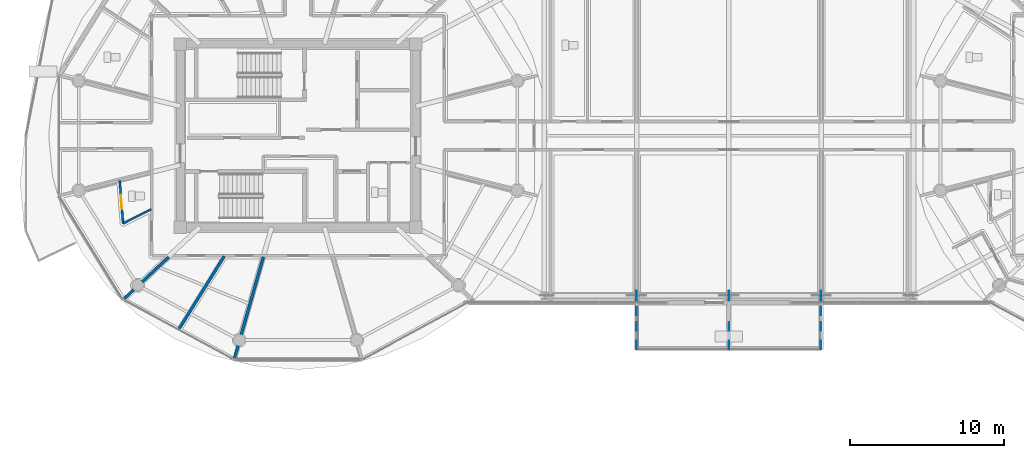
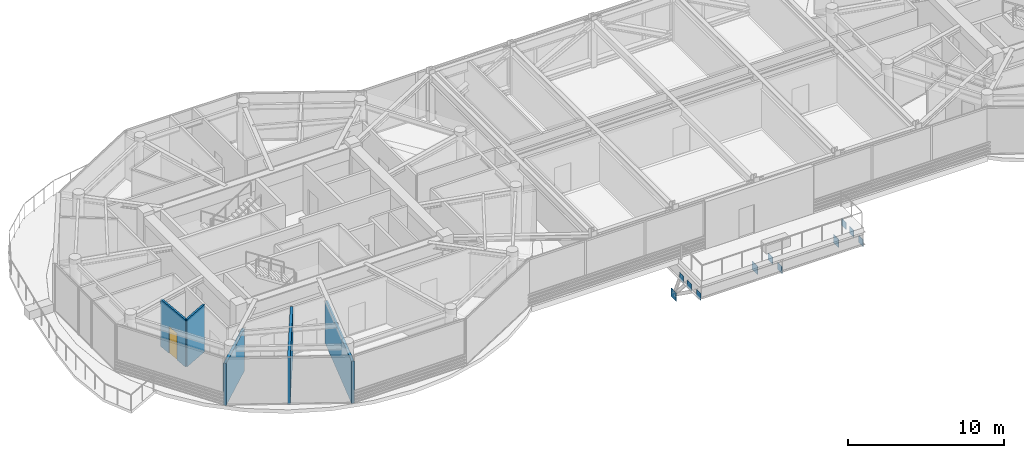
# One storey, part 13 of 31: 11 plates, 5 walls, 1 door, 1 opening.
"""IFC4 building model written with IfcOpenShell, lengths in metres."""

import ifcopenshell
import ifcopenshell.guid

model = None  # the IFC model being written
_history = None  # IfcOwnerHistory: only IFC2X3 demands one
_inside = {}  # id of a spatial element -> (the spatial element, [elements in it])
_under = {}  # id of a project, library or spatial element -> (it, [spatial elements below it])
_declared = {}  # id of a project -> (the project, [libraries it declares])
_typed = {}  # id of a type object -> (the type object, [elements of that type])
_made_of = {}  # id of a material, layer set ... -> (it, [elements and type objects made of it])


def new_model(schema):
    """Start an empty IFC model of exactly this schema.

    Asked for "IFC4X3", IfcOpenShell would pick the latest addendum, in which some entities
    have other attributes; the version numbers below select the first issue.
    IFC2X3 requires an IfcOwnerHistory on every rooted entity: one is made here for all.
    """
    global model, _history
    if schema == "IFC4X3":
        model = ifcopenshell.file(schema_version=(4, 3, 0, 0))
    else:
        model = ifcopenshell.file(schema=schema)
    _inside.clear()
    _under.clear()
    _declared.clear()
    _typed.clear()
    _made_of.clear()
    _history = None
    if model.schema == "IFC2X3":
        org = make("IfcOrganization", Name="unknown")
        user = make(
            "IfcPersonAndOrganization",
            ThePerson=make("IfcPerson", FamilyName="unknown"),
            TheOrganization=org,
        )
        app = make(
            "IfcApplication",
            ApplicationDeveloper=org,
            Version="unknown",
            ApplicationFullName="unknown",
            ApplicationIdentifier="unknown",
        )
        _history = make(
            "IfcOwnerHistory",
            OwningUser=user,
            OwningApplication=app,
            ChangeAction="ADDED",
            CreationDate=0,
        )
    return model


def make(cls, **values):
    """One entity of the class cls with the attributes given. An attribute that is None is left unset."""
    return model.create_entity(
        cls, **{name: value for name, value in values.items() if value is not None}
    )


def rooted(cls, **values):
    """An entity with a GlobalId (a new one), such as an element, a storey or a relation."""
    return make(cls, GlobalId=ifcopenshell.guid.new(), OwnerHistory=_history, **values)


def si_unit(unit_type, name, prefix=None):
    """IfcSIUnit, for example si_unit("LENGTHUNIT", "METRE", prefix="MILLI")."""
    return make("IfcSIUnit", UnitType=unit_type, Prefix=prefix, Name=name)


def assignment(units):
    """IfcUnitAssignment: the units of a project."""
    return None if units is None else make("IfcUnitAssignment", Units=units)


def point(xyz):
    """IfcCartesianPoint."""
    return None if xyz is None else make("IfcCartesianPoint", Coordinates=xyz)


def direction(xyz):
    """IfcDirection."""
    return None if xyz is None else make("IfcDirection", DirectionRatios=xyz)


def frame(location, z_axis=None, x_axis=None):
    """IfcAxis2Placement3D, a coordinate frame: its origin and axes. An axis left out is left unset."""
    return make(
        "IfcAxis2Placement3D",
        Location=point(location),
        Axis=direction(z_axis),
        RefDirection=direction(x_axis),
    )


def frame_2d(location, x_axis=None):
    """IfcAxis2Placement2D, a coordinate frame in the plane: its origin and x axis."""
    return make(
        "IfcAxis2Placement2D", Location=point(location), RefDirection=direction(x_axis)
    )


def origin():
    """The frame at (0, 0, 0) with its axes left unset."""
    return frame((0.0, 0.0, 0.0))


def origin_2d():
    """The frame at (0, 0) in the plane with its x axis left unset."""
    return frame_2d((0.0, 0.0))


def place(relative_to, where):
    """IfcLocalPlacement: puts the frame where relative to a parent placement (None: the world)."""
    return make(
        "IfcLocalPlacement", PlacementRelTo=relative_to, RelativePlacement=where
    )


def context(
    kind, dimensions, precision=None, world=None, true_north=None, identifier=None
):
    """IfcGeometricRepresentationContext, for example the 3D "Model" context."""
    return make(
        "IfcGeometricRepresentationContext",
        ContextIdentifier=identifier,
        ContextType=kind,
        CoordinateSpaceDimension=dimensions,
        Precision=precision,
        WorldCoordinateSystem=world,
        TrueNorth=true_north,
    )


def subcontext(parent, identifier, kind, view, scale=None):
    """IfcGeometricRepresentationSubContext, for example "Body" below "Model"."""
    return make(
        "IfcGeometricRepresentationSubContext",
        ContextIdentifier=identifier,
        ContextType=kind,
        ParentContext=parent,
        TargetScale=scale,
        TargetView=view,
    )


def project(units=None, contexts=None):
    """IfcProject with its units and contexts."""
    return rooted(
        "IfcProject",
        Name="project",
        RepresentationContexts=contexts,
        UnitsInContext=assignment(units),
    )


def spatial(cls, under=None, at=None, **own):
    """A site, building, storey or space (cls), placed at a placement, below another one or the project."""
    s = rooted(cls, ObjectPlacement=at, **own)
    if under is not None:
        _under.setdefault(under.id(), (under, []))[1].append(s)
    return s


def profile(cls, at=None, kind="AREA", **sizes):
    """A parametric profile (cls). Its sizes go by their IFC names, for example OverallWidth=200.0."""
    return make(cls, ProfileType=kind, Position=at, **sizes)


def rectangle(**sizes):
    """IfcRectangleProfileDef."""
    return profile("IfcRectangleProfileDef", **sizes)


def extrude(swept, where, along, depth):
    """IfcExtrudedAreaSolid: the profile swept, set in the frame where, extruded along a direction by depth."""
    return make(
        "IfcExtrudedAreaSolid",
        SweptArea=swept,
        Position=where,
        ExtrudedDirection=direction(along),
        Depth=depth,
    )


def shape(context_of_items, identifier, shape_type, items):
    """IfcShapeRepresentation: the items that make up one representation, for example the "Body"."""
    return make(
        "IfcShapeRepresentation",
        ContextOfItems=context_of_items,
        RepresentationIdentifier=identifier,
        RepresentationType=shape_type,
        Items=items,
    )


def source(mapping_origin, context_of_items, identifier, shape_type, items):
    """IfcRepresentationMap: a shape defined once, which mapped items show again and again."""
    return make(
        "IfcRepresentationMap",
        MappingOrigin=mapping_origin,
        MappedRepresentation=shape(context_of_items, identifier, shape_type, items),
    )


def transform(
    local_origin,
    x_axis=None,
    y_axis=None,
    z_axis=None,
    scale=None,
    scale2=None,
    scale3=None,
    uniform=True,
):
    """IfcCartesianTransformationOperator3D, or its non-uniform kind. x_axis, y_axis, z_axis: its Axis1, 2, 3."""
    if uniform:
        return make(
            "IfcCartesianTransformationOperator3D",
            Axis1=direction(x_axis),
            Axis2=direction(y_axis),
            LocalOrigin=point(local_origin),
            Scale=scale,
            Axis3=direction(z_axis),
        )
    return make(
        "IfcCartesianTransformationOperator3DnonUniform",
        Axis1=direction(x_axis),
        Axis2=direction(y_axis),
        LocalOrigin=point(local_origin),
        Scale=scale,
        Axis3=direction(z_axis),
        Scale2=scale2,
        Scale3=scale3,
    )


def mapped(mapping_source, mapping_target):
    """IfcMappedItem: shows the shape of a source again, moved by a transform."""
    return make(
        "IfcMappedItem", MappingSource=mapping_source, MappingTarget=mapping_target
    )


def material(Name=None, Category=None):
    """IfcMaterial."""
    return make("IfcMaterial", Name=Name, Category=Category)


def layer(
    of_material, thickness, ventilated=None, Name=None, Category=None, Priority=None
):
    """IfcMaterialLayer: one layer of a wall or slab, of a material (None: an air gap)."""
    return make(
        "IfcMaterialLayer",
        Material=of_material,
        LayerThickness=thickness,
        IsVentilated=ventilated,
        Name=Name,
        Category=Category,
        Priority=Priority,
    )


def layer_set(layers, Name=None):
    """IfcMaterialLayerSet."""
    return make("IfcMaterialLayerSet", MaterialLayers=layers, LayerSetName=Name)


def made_of(thing, what):
    """Note that an element or type object is made of a material, layer set ...; save() writes the relation."""
    if what is not None:
        _made_of.setdefault(what.id(), (what, []))[1].append(thing)
    return thing


def type_object(cls, material=None, **own):
    """A type object (cls), such as IfcWallType, which elements share."""
    return made_of(rooted(cls, **own), material)


def type_shapes(of_type, sources):
    """Give a type object the sources (RepresentationMaps) that its elements show as mapped items."""
    of_type.RepresentationMaps = sources


def element(
    cls,
    number,
    at=None,
    inside=None,
    cuts=None,
    type_object=None,
    material=None,
    context=None,
    identifier="Body",
    shape_type=None,
    held_by="IfcProductDefinitionShape",
    body=None,
    shapes=None,
    **own,
):
    """One element of the class cls, such as IfcWall. Its Tag is "e" and its number.

    at: its placement. inside: the storey or other place that contains it. cuts: it is an
    opening in that element (IfcRelVoidsElement). A single representation is given by context,
    identifier, shape_type and body (its items); several are given by shapes. held_by: the class
    of the entity that holds the representations. save() writes the other relations.
    """
    e = rooted(cls, Tag="e%d" % number, ObjectPlacement=at, **own)
    if body is not None:
        shapes = [shape(context, identifier, shape_type, body)]
    if shapes is not None:
        e.Representation = make(held_by, Representations=shapes)
    if inside is not None:
        _inside.setdefault(inside.id(), (inside, []))[1].append(e)
    if cuts is not None:
        rooted(
            "IfcRelVoidsElement", RelatingBuildingElement=cuts, RelatedOpeningElement=e
        )
    if type_object is not None:
        _typed.setdefault(type_object.id(), (type_object, []))[1].append(e)
    return made_of(e, material)


def fill(opening, filler):
    """IfcRelFillsElement: the door or window that sits in an opening."""
    return rooted(
        "IfcRelFillsElement",
        RelatingOpeningElement=opening,
        RelatedBuildingElement=filler,
    )


def aggregate(whole, parts):
    """IfcRelAggregates: a whole, such as a stair, and the parts it consists of."""
    return rooted("IfcRelAggregates", RelatingObject=whole, RelatedObjects=parts)


def save(model, path):
    """Write the relations noted so far, then the file.

    IfcRelAggregates (storeys below a building ...), IfcRelContainedInSpatialStructure (elements
    in a storey), IfcRelDefinesByType, IfcRelAssociatesMaterial and IfcRelDeclares: one each for
    every whole, place, type object, material and project.
    """
    for whole, parts in _under.values():
        aggregate(whole, parts)
    for where, things in _inside.values():
        rooted(
            "IfcRelContainedInSpatialStructure",
            RelatedElements=things,
            RelatingStructure=where,
        )
    for kind, things in _typed.values():
        rooted("IfcRelDefinesByType", RelatedObjects=things, RelatingType=kind)
    for what, things in _made_of.values():
        rooted("IfcRelAssociatesMaterial", RelatedObjects=things, RelatingMaterial=what)
    for by, libraries in _declared.values():
        rooted("IfcRelDeclares", RelatingContext=by, RelatedDefinitions=libraries)
    model.write(path)


model = new_model("IFC4")

# Units and contexts
model_context = context("Model", 3, precision=1e-05, world=origin(), true_north=direction((0.0, 1.0)))
body_context = subcontext(model_context, "Body", "Model", "MODEL_VIEW")
ifc_project = project(units=[si_unit("LENGTHUNIT", "METRE"), si_unit("AREAUNIT", "SQUARE_METRE"), si_unit("VOLUMEUNIT", "CUBIC_METRE"), si_unit("PLANEANGLEUNIT", "RADIAN"), si_unit("MASSUNIT", "GRAM", prefix="KILO")], contexts=[model_context])

# Site, building, storey
site_placement = place(None, origin())
site = spatial("IfcSite", under=ifc_project, at=site_placement, CompositionType="ELEMENT")
building_placement = place(site_placement, origin())
building = spatial("IfcBuilding", under=site, at=building_placement, Name="Norrkilde Senior Care Towers", CompositionType="ELEMENT")
storey_placement = place(building_placement, frame((0.0, 0.0, 199.800048828125)))
storey = spatial("IfcBuildingStorey", under=building, at=storey_placement, Name="L62", CompositionType="ELEMENT", Elevation=199.800048828125)

# Plates
ifc_material_1 = material(Name="Steel S355", Category="steel")
ifc_layer_1 = layer(ifc_material_1, 0.034912109375)
ifc_layer_set_1 = layer_set([ifc_layer_1], Name="Steel S355")
plate_type = type_object("IfcPlateType", Name="Truss Node Gusset Plate 35", PredefinedType="USERDEFINED", material=ifc_layer_set_1)
shared_shape_1 = source(origin(), body_context, "Body", "SweptSolid", [
    extrude(rectangle(XDim=0.034912109375, YDim=0.550048828125, at=origin_2d()), origin(), (0.0, 0.0, 1.0), 0.550048828125),
])
for number, where, z_axis, x_axis, name in (
    (1, (-6.0, -13.60009765625, -1.544921875), (0.0, 0.0, 1.0), (1.0, 0.0, 0.0), "L62 Sky Pool Strut 1A Upper Gusset Plate"),
    (2, (-6.0, -12.39990234375, -1.544921875), (0.0, 0.0, 1.0), (1.0, 0.0, 0.0), "L62 Sky Pool Strut 1B Upper Gusset Plate"),
    (3, (0.0, -13.60009765625, -1.544921875), (0.0, 0.0, 1.0), (1.0, 0.0, 0.0), "L62 Sky Pool Strut 2A Upper Gusset Plate"),
    (4, (0.0, -12.39990234375, -1.544921875), (0.0, 0.0, 1.0), (1.0, 0.0, 0.0), "L62 Sky Pool Strut 2B Upper Gusset Plate"),
    (5, (6.0, -13.60009765625, -1.544921875), (0.0, 0.0, 1.0), (1.0, 0.0, 0.0), "L62 Sky Pool Strut 3A Upper Gusset Plate"),
    (6, (6.0, -12.39990234375, -1.544921875), (0.0, 0.0, 1.0), (1.0, 0.0, 0.0), "L62 Sky Pool Strut 3B Upper Gusset Plate"),
    (7, (-6.0, -11.39990234375, -1.544921875), (0.0, 0.0, 1.0), (1.0, 0.0, 0.0), "L62 Sky Pool Mid Strut 1 Upper Gusset Plate"),
    (8, (6.0, -11.39990234375, -1.544921875), (0.0, 0.0, 1.0), (1.0, 0.0, 0.0), "L62 Sky Pool Mid Strut 2 Upper Gusset Plate"),
):
    element("IfcPlate", number, at=place(storey_placement, frame(where, z_axis=z_axis, x_axis=x_axis)), inside=storey, type_object=plate_type, Name=name, ObjectType="GUSSET_PLATE", PredefinedType="USERDEFINED", context=body_context, shape_type="MappedRepresentation", body=[
        mapped(shared_shape_1, transform((0.0, 0.0, 0.0), x_axis=(1.0, 0.0, 0.0), y_axis=(0.0, 1.0, 0.0), z_axis=(0.0, 0.0, 1.0), scale=1.0)),
    ])
shared_shape_2 = source(origin(), body_context, "Body", "SweptSolid", [
    extrude(rectangle(XDim=0.034912109375, YDim=0.64990234375, at=origin_2d()), origin(), (0.0, 0.0, 1.0), 0.64990234375),
])
type_shapes(plate_type, [shared_shape_1, shared_shape_2])
for number, where, z_axis, x_axis, name in (
    (9, (-6.0, -10.39990234375, -3.52490234375), (0.0, 0.0, 1.0), (1.0, 0.0, 0.0), "L62 Sky Pool Strut Fan 1 Lower Gusset Plate"),
    (10, (0.0, -10.39990234375, -3.52490234375), (0.0, 0.0, 1.0), (1.0, 0.0, 0.0), "L62 Sky Pool Strut Fan 2 Lower Gusset Plate"),
    (11, (6.0, -10.39990234375, -3.52490234375), (0.0, 0.0, 1.0), (1.0, 0.0, 0.0), "L62 Sky Pool Strut Fan 3 Lower Gusset Plate"),
):
    element("IfcPlate", number, at=place(storey_placement, frame(where, z_axis=z_axis, x_axis=x_axis)), inside=storey, type_object=plate_type, Name=name, ObjectType="GUSSET_PLATE", PredefinedType="USERDEFINED", context=body_context, shape_type="MappedRepresentation", body=[
        mapped(shared_shape_2, transform((0.0, 0.0, 0.0), x_axis=(1.0, 0.0, 0.0), y_axis=(0.0, 1.0, 0.0), z_axis=(0.0, 0.0, 1.0), scale=1.0)),
    ])

# Walls
ifc_material_2 = material(Name="Gypsum Acoustic Board")
ifc_layer_2 = layer(ifc_material_2, 0.18994140625)
ifc_layer_set_2 = layer_set([ifc_layer_2], Name="Gypsum Acoustic Board")
wall_type_1 = type_object("IfcWallType", Name="Unit Demising Acoustic Wall 190", PredefinedType="PARTITIONING", material=ifc_layer_set_2)
shared_shape_3 = source(origin(), body_context, "Body", "SweptSolid", [
    extrude(rectangle(XDim=4.089111328125, YDim=0.18994140625, at=frame_2d((2.04443359375, 0.0))), origin(), (0.0, 0.0, 1.0), 3.294921875),
])
wall_1_placement = place(storey_placement, frame((-36.40185546875, -7.8798828125, 0.0), z_axis=(0.0, 0.0, 1.0), x_axis=(-0.729401273609, -0.684086092577, 0.0)))
element("IfcWall", 12, at=wall_1_placement, inside=storey, type_object=wall_type_1, Name="WL-INT-L62-W-DEM-07-0", PredefinedType="PARTITIONING", context=body_context, shape_type="MappedRepresentation", body=[
    mapped(shared_shape_3, transform((0.0, 0.0, 0.0), x_axis=(1.0, 0.0, 0.0), y_axis=(0.0, 1.0, 0.0), z_axis=(0.0, 0.0, 1.0), scale=1.0)),
])
shared_shape_4 = source(origin(), body_context, "Body", "SweptSolid", [
    extrude(rectangle(XDim=5.65185546875, YDim=0.18994140625, at=frame_2d((2.825927734375, 0.0))), origin(), (0.0, 0.0, 1.0), 3.695068359375),
])
wall_2_placement = place(storey_placement, frame((-32.7939453125, -7.830078125, 0.0), z_axis=(0.0, 0.0, 1.0), x_axis=(-0.527566076956, -0.84951399897, 0.0)))
element("IfcWall", 13, at=wall_2_placement, inside=storey, type_object=wall_type_1, Name="WL-INT-L62-W-MID-07", PredefinedType="PARTITIONING", context=body_context, shape_type="MappedRepresentation", body=[
    mapped(shared_shape_4, transform((0.0, 0.0, 0.0), x_axis=(1.0, 0.0, 0.0), y_axis=(0.0, 1.0, 0.0), z_axis=(0.0, 0.0, 1.0), scale=1.0)),
])
ifc_layer_3 = layer(ifc_material_2, 0.139892578125)
ifc_layer_set_3 = layer_set([ifc_layer_3], Name="Gypsum Acoustic Board")
wall_type_2 = type_object("IfcWallType", Name="En-suite Wet Room Wall 140", PredefinedType="PARTITIONING", material=ifc_layer_set_3)
shared_shape_5 = source(origin(), body_context, "Body", "SweptSolid", [
    extrude(rectangle(XDim=2.059814453125, YDim=0.139892578125, at=frame_2d((1.02978515625, 0.0))), origin(), (0.0, 0.0, 1.0), 3.695068359375),
])
wall_3_placement = place(storey_placement, frame((-37.530029296875, -4.7783203125, 0.0), z_axis=(0.0, 0.0, 1.0), x_axis=(-0.893952568722, -0.448161583444, 0.0)))
element("IfcWall", 14, at=wall_3_placement, inside=storey, type_object=wall_type_2, Name="WL-INT-L62-W-ES-06", PredefinedType="PARTITIONING", context=body_context, shape_type="MappedRepresentation", body=[
    mapped(shared_shape_5, transform((0.0, 0.0, 0.0), x_axis=(1.0, 0.0, 0.0), y_axis=(0.0, 1.0, 0.0), z_axis=(0.0, 0.0, 1.0), scale=1.0)),
])

# Wall, opening, door
shared_shape_6 = source(origin(), body_context, "Body", "SweptSolid", [
    extrude(rectangle(XDim=2.79833984375, YDim=0.139892578125, at=frame_2d((1.399169921875, 0.0))), origin(), (0.0, 0.0, 1.0), 3.695068359375),
])
type_shapes(wall_type_2, [shared_shape_5, shared_shape_6])
wall_4_placement = place(storey_placement, frame((-39.371337890625, -5.701416015625, 0.0), z_axis=(0.0, 0.0, 1.0), x_axis=(-0.077823984089, 0.996967114553, 0.0)))
wall_4 = element("IfcWall", 15, at=wall_4_placement, inside=storey, type_object=wall_type_2, Name="WL-INT-L62-W-EF-06", PredefinedType="PARTITIONING", context=body_context, shape_type="MappedRepresentation", body=[
    mapped(shared_shape_6, transform((0.0, 0.0, 0.0), x_axis=(1.0, 0.0, 0.0), y_axis=(0.0, 1.0, 0.0), z_axis=(0.0, 0.0, 1.0), scale=1.0)),
])
opening_placement = place(wall_4_placement, frame((0.939208984375, 0.0, 0.0)))
opening = element("IfcOpeningElement", 16, at=opening_placement, cuts=wall_4, Name="Opening D-08", PredefinedType="OPENING", context=body_context, shape_type="SweptSolid", body=[
    extrude(rectangle(XDim=0.919921875, YDim=2.10009765625, at=frame_2d((0.4599609375, 1.050048828125))), frame((0.0, 0.079833984375, 0.0), z_axis=(0.0, -1.0, 0.0), x_axis=(1.0, 0.0, 0.0)), (0.0, 0.0, 1.0), 0.159912109375),
])
ifc_material_3 = material(Name="Nordic Ash Timber", Category="wood")
door_type = type_object("IfcDoorType", Name="Accessible Wet Room Door 920x2100", OperationType="NOTDEFINED", PredefinedType="DOOR", material=ifc_material_3)
shared_shape_7 = source(origin(), body_context, "Body", "SweptSolid", [
    extrude(rectangle(XDim=0.919921875, YDim=2.10009765625, at=frame_2d((0.4599609375, 1.050048828125))), frame((0.0, 0.02490234375, 0.0), z_axis=(0.0, -1.0, 0.0), x_axis=(1.0, 0.0, 0.0)), (0.0, 0.0, 1.0), 0.050048828125),
])
type_shapes(door_type, [shared_shape_7])
door_placement = place(opening_placement, origin())
door = element("IfcDoor", 17, at=door_placement, inside=storey, type_object=door_type, Name="L62 Care Suite 6206 Bathroom Door", OperationType="SINGLE_SWING_RIGHT", OverallHeight=2.10009765625, OverallWidth=0.919921875, PredefinedType="DOOR", context=body_context, shape_type="MappedRepresentation", body=[
    mapped(shared_shape_7, transform((0.0, 0.0, 0.0), x_axis=(1.0, 0.0, 0.0), y_axis=(0.0, 1.0, 0.0), z_axis=(0.0, 0.0, 1.0), scale=1.0)),
])
fill(opening, door)

# Wall
shared_shape_8 = source(origin(), body_context, "Body", "SweptSolid", [
    extrude(rectangle(XDim=6.973876953125, YDim=0.18994140625, at=frame_2d((3.48681640625, 0.0))), origin(), (0.0, 0.0, 1.0), 3.294921875),
])
type_shapes(wall_type_1, [shared_shape_3, shared_shape_4, shared_shape_8])
wall_5_placement = place(storey_placement, frame((-30.251220703125, -7.8798828125, 0.0), z_axis=(0.0, 0.0, 1.0), x_axis=(-0.274707256801, -0.961527910703, 0.0)))
element("IfcWall", 18, at=wall_5_placement, inside=storey, type_object=wall_type_1, Name="WL-INT-L62-W-DEM-08-0", PredefinedType="PARTITIONING", context=body_context, shape_type="MappedRepresentation", body=[
    mapped(shared_shape_8, transform((0.0, 0.0, 0.0), x_axis=(1.0, 0.0, 0.0), y_axis=(0.0, 1.0, 0.0), z_axis=(0.0, 0.0, 1.0), scale=1.0)),
])

save(model, "model.ifc")
